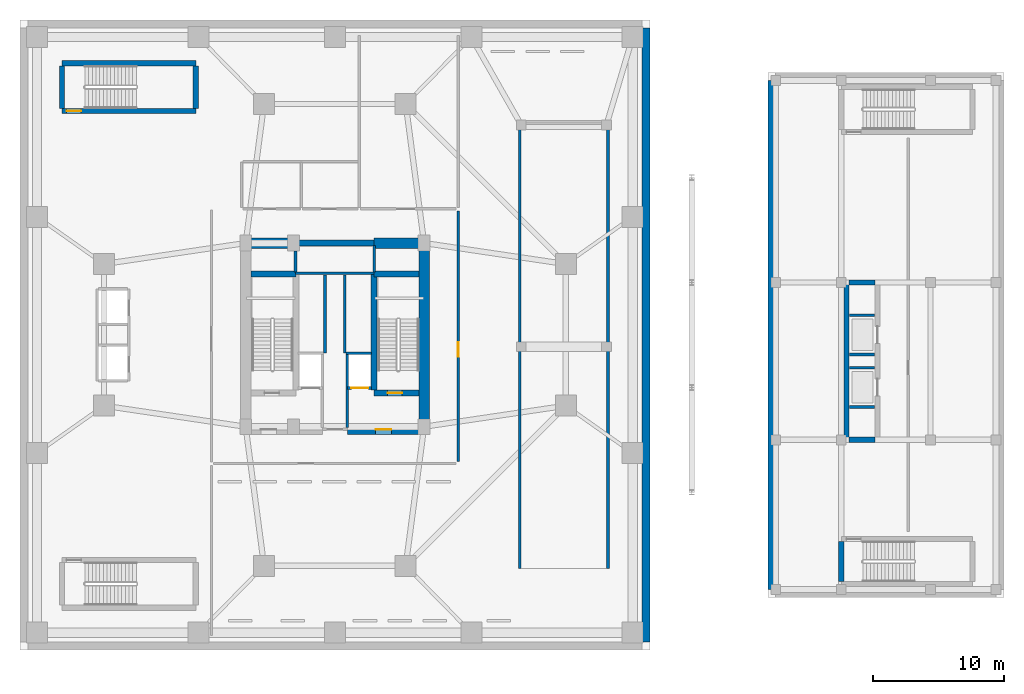
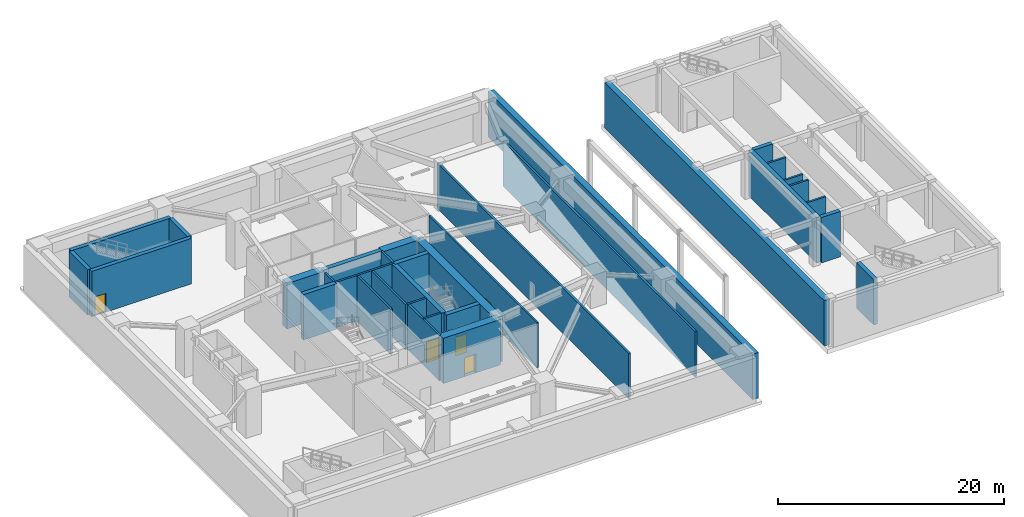
# One storey, part 5 of 13: 34 walls, 5 doors, 5 openings.
"""IFC4 building model written with IfcOpenShell, lengths in metres."""

from ifc_helpers import new_model, si_unit, direction, frame, frame_2d, origin, place, context, subcontext, project, spatial, rectangle, extrude, source, transform, mapped, material, layer, layer_set, type_object, element, fill, save


model = new_model("IFC4")

# Units and contexts
model_context = context("Model", 3, precision=1e-05, world=origin(), true_north=direction((0.0, 1.0)))
body_context = subcontext(model_context, "Body", "Model", "MODEL_VIEW")
ifc_project = project(units=[si_unit("LENGTHUNIT", "METRE"), si_unit("AREAUNIT", "SQUARE_METRE"), si_unit("VOLUMEUNIT", "CUBIC_METRE"), si_unit("PLANEANGLEUNIT", "RADIAN"), si_unit("MASSUNIT", "GRAM", prefix="KILO")], contexts=[model_context])

# Site, building, storey
site_placement = place(None, origin())
site = spatial("IfcSite", under=ifc_project, at=site_placement, CompositionType="ELEMENT")
building_placement = place(site_placement, origin())
building = spatial("IfcBuilding", under=site, at=building_placement, Name="Veraguas Prism Commons", CompositionType="ELEMENT")
storey_placement = place(building_placement, frame((0.0, 0.0, -5.199951171875)))
storey = spatial("IfcBuildingStorey", under=building, at=storey_placement, Name="B1", CompositionType="ELEMENT", Elevation=-5.199951171875)

# Walls
ifc_material_1 = material(Name="Concrete C50/60", Category="concrete")
ifc_layer_1 = layer(ifc_material_1, 0.60009765625, Name="Basement Perimeter Retaining Wall RC 600", Category="concrete")
ifc_layer_set_1 = layer_set([ifc_layer_1], Name="Concrete C50/60")
wall_type_1 = type_object("IfcWallType", Name="Basement Perimeter Retaining Wall RC 600", PredefinedType="SOLIDWALL", material=ifc_layer_set_1)
wall_1_placement = place(storey_placement, frame((47.699951171875, 0.60009765625, 0.0), z_axis=(0.0, 0.0, 1.0), x_axis=(0.0, 1.0, 0.0)))
element("IfcWall", 1, at=wall_1_placement, inside=storey, type_object=wall_type_1, Name="Basement Retaining Wall B1-E", PredefinedType="SOLIDWALL", context=body_context, shape_type="SweptSolid", body=[
    extrude(rectangle(XDim=46.7998046875, YDim=0.60009765625, at=frame_2d((23.39990234375, 0.0))), origin(), (0.0, 0.0, 1.0), 4.89990234375),
])
wall_2_placement = place(storey_placement, frame((57.300048828125, 43.39990234375, 0.0), z_axis=(0.0, 0.0, 1.0), x_axis=(0.0, -1.0, 0.0)))
element("IfcWall", 2, at=wall_2_placement, inside=storey, type_object=wall_type_1, Name="Health Centre Substructure Retaining Wall B1-W", PredefinedType="SOLIDWALL", context=body_context, shape_type="SweptSolid", body=[
    extrude(rectangle(XDim=38.7998046875, YDim=0.60009765625, at=frame_2d((19.39990234375, 0.0))), origin(), (0.0, 0.0, 1.0), 4.89990234375),
])

# Wall, opening, door
ifc_layer_2 = layer(ifc_material_1, 0.39990234375, Name="Clinic and Mid Core Shear Wall RC 400", Category="concrete")
ifc_layer_set_2 = layer_set([ifc_layer_2], Name="Concrete C50/60")
wall_type_2 = type_object("IfcWallType", Name="Clinic and Mid Core Shear Wall RC 400", PredefinedType="SHEAR", material=ifc_layer_set_2)
wall_3_placement = place(storey_placement, frame((3.199951171875, 41.06005859375, 0.0), z_axis=(0.0, 0.0, 1.0), x_axis=(1.0, 0.0, 0.0)))
wall_3 = element("IfcWall", 3, at=wall_3_placement, inside=storey, type_object=wall_type_2, Name="ST-M2 South Shear Wall B1", PredefinedType="SHEAR", context=body_context, shape_type="SweptSolid", body=[
    extrude(rectangle(XDim=10.199951171875, YDim=0.39990234375, at=frame_2d((5.10009765625, 0.0))), origin(), (0.0, 0.0, 1.0), 4.89990234375),
])
opening_1_placement = place(wall_3_placement, frame((0.35009765625, 0.0, 0.0)))
opening_1 = element("IfcOpeningElement", 4, at=opening_1_placement, cuts=wall_3, Name="Opening DR-05", PredefinedType="OPENING", context=body_context, shape_type="SweptSolid", body=[
    extrude(rectangle(XDim=1.10009765625, YDim=2.030029296875, at=frame_2d((0.550048828125, 1.01513671875))), frame((0.0, 0.2099609375, 0.0), z_axis=(0.0, -1.0, 0.0), x_axis=(1.0, 0.0, 0.0)), (0.0, 0.0, 1.0), 0.419921875),
])
ifc_material_2 = material(Name="Steel fire-rated door assembly", Category="steel")
door_type_1 = type_object("IfcDoorType", Name="Protected Stair and Refuge Fire Door 1100x2030", OperationType="NOTDEFINED", PredefinedType="DOOR", material=ifc_material_2)
shared_shape_1 = source(origin(), body_context, "Body", "SweptSolid", [
    extrude(rectangle(XDim=1.10009765625, YDim=2.030029296875, at=frame_2d((0.550048828125, 1.01513671875))), frame((0.0, 0.02490234375, 0.0), z_axis=(0.0, -1.0, 0.0), x_axis=(1.0, 0.0, 0.0)), (0.0, 0.0, 1.0), 0.050048828125),
])
door_1_placement = place(opening_1_placement, origin())
door_1 = element("IfcDoor", 5, at=door_1_placement, inside=storey, type_object=door_type_1, Name="Metro Stair ST-M2 Door B1", OperationType="SINGLE_SWING_RIGHT", OverallHeight=2.030029296875, OverallWidth=1.10009765625, PredefinedType="DOOR", context=body_context, shape_type="MappedRepresentation", body=[
    mapped(shared_shape_1, transform((0.0, 0.0, 0.0), scale=1.0)),
])
fill(opening_1, door_1)

# Walls
wall_4_placement = place(storey_placement, frame((3.199951171875, 44.7099609375, 0.0), z_axis=(0.0, 0.0, 1.0), x_axis=(1.0, 0.0, 0.0)))
element("IfcWall", 6, at=wall_4_placement, inside=storey, type_object=wall_type_2, Name="ST-M2 North Shear Wall B1", PredefinedType="SHEAR", context=body_context, shape_type="SweptSolid", body=[
    extrude(rectangle(XDim=10.199951171875, YDim=0.39990234375, at=frame_2d((5.10009765625, 0.0))), origin(), (0.0, 0.0, 1.0), 4.89990234375),
])
for number, where, z_axis, x_axis, name in (
    (7, (3.199951171875, 41.260009765625, 0.0), (0.0, 0.0, 1.0), (0.0, 1.0, 0.0), "ST-M2 West Shear Wall B1"),
    (8, (13.39990234375, 41.260009765625, 0.0), (0.0, 0.0, 1.0), (0.0, 1.0, 0.0), "ST-M2 East Shear Wall B1"),
):
    element("IfcWall", number, at=place(storey_placement, frame(where, z_axis=z_axis, x_axis=x_axis)), inside=storey, type_object=wall_type_2, Name=name, PredefinedType="SHEAR", context=body_context, shape_type="SweptSolid", body=[
        extrude(rectangle(XDim=3.25, YDim=0.39990234375, at=frame_2d((1.625, 0.0))), origin(), (0.0, 0.0, 1.0), 4.89990234375),
    ])
wall_5_placement = place(storey_placement, frame((63.0, 16.0, 0.0), z_axis=(0.0, 0.0, 1.0), x_axis=(0.0, 1.0, 0.0)))
element("IfcWall", 9, at=wall_5_placement, inside=storey, type_object=wall_type_2, Name="Health Centre Core West Shear Wall B1", PredefinedType="SHEAR", context=body_context, shape_type="SweptSolid", body=[
    extrude(rectangle(XDim=12.0, YDim=0.39990234375, at=frame_2d((6.0, 0.0))), origin(), (0.0, 0.0, 1.0), 4.89990234375),
])
for number, where, z_axis, x_axis, name in (
    (10, (63.199951171875, 16.0, 0.0), (0.0, 0.0, 1.0), (1.0, 0.0, 0.0), "Health Centre Core South Wall B1"),
    (11, (63.199951171875, 28.0, 0.0), (0.0, 0.0, 1.0), (1.0, 0.0, 0.0), "Health Centre Core North Wall B1"),
):
    element("IfcWall", number, at=place(storey_placement, frame(where, z_axis=z_axis, x_axis=x_axis)), inside=storey, type_object=wall_type_2, Name=name, PredefinedType="SHEAR", context=body_context, shape_type="SweptSolid", body=[
        extrude(rectangle(XDim=1.949951171875, YDim=0.39990234375, at=frame_2d((0.97509765625, 0.0))), origin(), (0.0, 0.0, 1.0), 4.89990234375),
    ])
wall_6_placement = place(storey_placement, frame((62.60009765625, 5.199951171875, 0.0), z_axis=(0.0, 0.0, 1.0), x_axis=(0.0, 1.0, 0.0)))
element("IfcWall", 12, at=wall_6_placement, inside=storey, type_object=wall_type_2, Name="ST-H1 West Shear Wall B1", PredefinedType="SHEAR", context=body_context, shape_type="SweptSolid", body=[
    extrude(rectangle(XDim=3.050048828125, YDim=0.39990234375, at=frame_2d((1.52490234375, 0.0))), origin(), (0.0, 0.0, 1.0), 4.89990234375),
])
ifc_material_3 = material(Name="Concrete C60/75", Category="concrete")
ifc_layer_3 = layer(ifc_material_3, 0.449951171875, Name="Core Internal Shear Wall Lower RC 450", Category="concrete")
ifc_layer_set_3 = layer_set([ifc_layer_3], Name="Concrete C60/75")
wall_type_3 = type_object("IfcWallType", Name="Core Internal Shear Wall Lower RC 450", PredefinedType="SHEAR", material=ifc_layer_set_3)
wall_7_placement = place(storey_placement, frame((21.0, 31.0, 0.0), z_axis=(0.0, 0.0, 1.0), x_axis=(1.0, 0.0, 0.0)))
element("IfcWall", 13, at=wall_7_placement, inside=storey, type_object=wall_type_3, Name="High-Rise Lift Bank Front Shear Wall B1", PredefinedType="SHEAR", context=body_context, shape_type="SweptSolid", body=[
    extrude(rectangle(XDim=6.0, YDim=0.449951171875, at=frame_2d((3.0, 0.0))), origin(), (0.0, 0.0, 1.0), 4.89990234375),
])

# Wall, opening, door
wall_8_placement = place(storey_placement, frame((26.97509765625, 19.574951171875, 0.0), z_axis=(0.0, 0.0, 1.0), x_axis=(1.0, 0.0, 0.0)))
wall_8 = element("IfcWall", 14, at=wall_8_placement, inside=storey, type_object=wall_type_3, Name="Stair ST-02 South Shear Wall B1", PredefinedType="SHEAR", context=body_context, shape_type="SweptSolid", body=[
    extrude(rectangle(XDim=3.4248046875, YDim=0.449951171875, at=frame_2d((1.71240234375, 0.0))), origin(), (0.0, 0.0, 1.0), 4.89990234375),
])
opening_2_placement = place(wall_8_placement, frame((1.050048828125, 0.0, 0.0)))
opening_2 = element("IfcOpeningElement", 15, at=opening_2_placement, cuts=wall_8, Name="Opening DR-05", PredefinedType="OPENING", context=body_context, shape_type="SweptSolid", body=[
    extrude(rectangle(XDim=1.10009765625, YDim=2.030029296875, at=frame_2d((0.550048828125, 1.01513671875))), frame((0.0, 0.23486328125, 0.0), z_axis=(0.0, -1.0, 0.0), x_axis=(1.0, 0.0, 0.0)), (0.0, 0.0, 1.0), 0.469970703125),
])
door_2_placement = place(opening_2_placement, origin())
door_2 = element("IfcDoor", 16, at=door_2_placement, inside=storey, type_object=door_type_1, Name="Stair ST-02 Enclosure Door B1", OperationType="SINGLE_SWING_RIGHT", OverallHeight=2.030029296875, OverallWidth=1.10009765625, PredefinedType="DOOR", context=body_context, shape_type="MappedRepresentation", body=[
    mapped(shared_shape_1, transform((0.0, 0.0, 0.0), scale=1.0)),
])
fill(opening_2, door_2)

# Walls
wall_9_placement = place(storey_placement, frame((26.97509765625, 19.800048828125, 0.0), z_axis=(0.0, 0.0, 1.0), x_axis=(0.0, 1.0, 0.0)))
element("IfcWall", 17, at=wall_9_placement, inside=storey, type_object=wall_type_3, Name="Stair ST-02 Inner Shear Wall B1", PredefinedType="SHEAR", context=body_context, shape_type="SweptSolid", body=[
    extrude(rectangle(XDim=8.824951171875, YDim=0.449951171875, at=frame_2d((4.41259765625, 0.0))), origin(), (0.0, 0.0, 1.0), 4.89990234375),
])
for number, where, z_axis, x_axis, name in (
    (18, (17.60009765625, 28.625, 0.0), (0.0, 0.0, 1.0), (1.0, 0.0, 0.0), "Stair ST-01 North Shear Wall B1"),
    (19, (26.97509765625, 28.625, 0.0), (0.0, 0.0, 1.0), (1.0, 0.0, 0.0), "Stair ST-02 North Shear Wall B1"),
):
    element("IfcWall", number, at=place(storey_placement, frame(where, z_axis=z_axis, x_axis=x_axis)), inside=storey, type_object=wall_type_3, Name=name, PredefinedType="SHEAR", context=body_context, shape_type="SweptSolid", body=[
        extrude(rectangle(XDim=3.4248046875, YDim=0.449951171875, at=frame_2d((1.71240234375, 0.0))), origin(), (0.0, 0.0, 1.0), 4.89990234375),
    ])
ifc_layer_4 = layer(ifc_material_3, 0.800048828125, Name="Core Outer Shear Wall Lower RC 800", Category="concrete")
ifc_layer_set_4 = layer_set([ifc_layer_4], Name="Concrete C60/75")
wall_type_4 = type_object("IfcWallType", Name="Core Outer Shear Wall Lower RC 800", PredefinedType="SHEAR", material=ifc_layer_set_4)
wall_10_placement = place(storey_placement, frame((30.800048828125, 16.800048828125, 0.0), z_axis=(0.0, 0.0, 1.0), x_axis=(0.0, 1.0, 0.0)))
element("IfcWall", 20, at=wall_10_placement, inside=storey, type_object=wall_type_4, Name="Central Core East Shear Wall B1", PredefinedType="SHEAR", context=body_context, shape_type="SweptSolid", body=[
    extrude(rectangle(XDim=14.199951171875, YDim=0.800048828125, at=frame_2d((7.10009765625, 0.0))), origin(), (0.0, 0.0, 1.0), 4.89990234375),
])

# Wall, opening, door
wall_11_placement = place(storey_placement, frame((24.949951171875, 16.800048828125, 0.0), z_axis=(0.0, 0.0, 1.0), x_axis=(1.0, 0.0, 0.0)))
wall_11 = element("IfcWall", 21, at=wall_11_placement, inside=storey, type_object=wall_type_4, Name="Central Core South-East Shear Wall B1", PredefinedType="SHEAR", context=body_context, shape_type="SweptSolid", body=[
    extrude(rectangle(XDim=5.85009765625, YDim=0.800048828125, at=frame_2d((2.925048828125, 0.0))), origin(), (0.0, 0.0, 1.0), 4.89990234375),
])
opening_3_placement = place(wall_11_placement, frame((2.14990234375, 0.0, 0.0)))
opening_3 = element("IfcOpeningElement", 22, at=opening_3_placement, cuts=wall_11, Name="Opening DR-06", PredefinedType="OPENING", context=body_context, shape_type="SweptSolid", body=[
    extrude(rectangle(XDim=1.199951171875, YDim=2.030029296875, at=frame_2d((0.60009765625, 1.01513671875))), frame((0.0, 0.409912109375, 0.0), z_axis=(0.0, -1.0, 0.0), x_axis=(1.0, 0.0, 0.0)), (0.0, 0.0, 1.0), 0.820068359375),
])
door_type_2 = type_object("IfcDoorType", Name="Firefighting Lobby Smoke Door 1200x2030", OperationType="NOTDEFINED", PredefinedType="DOOR", material=ifc_material_2)
shared_shape_2 = source(origin(), body_context, "Body", "SweptSolid", [
    extrude(rectangle(XDim=1.199951171875, YDim=2.030029296875, at=frame_2d((0.60009765625, 1.01513671875))), frame((0.0, 0.02490234375, 0.0), z_axis=(0.0, -1.0, 0.0), x_axis=(1.0, 0.0, 0.0)), (0.0, 0.0, 1.0), 0.050048828125),
])
door_3_placement = place(opening_3_placement, origin())
door_3 = element("IfcDoor", 23, at=door_3_placement, inside=storey, type_object=door_type_2, Name="East FF Lobby Door B1", OperationType="SINGLE_SWING_RIGHT", OverallHeight=2.030029296875, OverallWidth=1.199951171875, PredefinedType="DOOR", context=body_context, shape_type="MappedRepresentation", body=[
    mapped(shared_shape_2, transform((0.0, 0.0, 0.0), scale=1.0)),
])
fill(opening_3, door_3)

# Walls
for number, where, z_axis, x_axis, name in (
    (24, (17.199951171875, 31.0, 0.0), (0.0, 0.0, 1.0), (1.0, 0.0, 0.0), "Central Core North-West Shear Wall B1"),
    (25, (27.0, 31.0, 0.0), (0.0, 0.0, 1.0), (1.0, 0.0, 0.0), "Central Core North-East Shear Wall B1"),
):
    element("IfcWall", number, at=place(storey_placement, frame(where, z_axis=z_axis, x_axis=x_axis)), inside=storey, type_object=wall_type_4, Name=name, PredefinedType="SHEAR", context=body_context, shape_type="SweptSolid", body=[
        extrude(rectangle(XDim=3.800048828125, YDim=0.800048828125, at=frame_2d((1.89990234375, 0.0))), origin(), (0.0, 0.0, 1.0), 4.89990234375),
    ])

# Wall, opening, door
ifc_material_4 = material(Name="Autoclaved aerated masonry block 10 MPa", Category="masonry")
ifc_layer_5 = layer(ifc_material_4, 0.179931640625, Name="Corridor and Inter-Tenancy Partition 180", Category="masonry")
ifc_layer_set_5 = layer_set([ifc_layer_5], Name="Autoclaved aerated masonry block 10 MPa")
wall_type_5 = type_object("IfcWallType", Name="Corridor and Inter-Tenancy Partition 180", PredefinedType="PARTITIONING", material=ifc_layer_set_5)
wall_12_placement = place(storey_placement, frame((33.39990234375, 14.35009765625, 0.0), z_axis=(0.0, 0.0, 1.0), x_axis=(0.0, 1.0, 0.0)))
wall_12 = element("IfcWall", 26, at=wall_12_placement, inside=storey, type_object=wall_type_5, Name="WL-B1-PT02", PredefinedType="PARTITIONING", context=body_context, shape_type="SweptSolid", body=[
    extrude(rectangle(XDim=19.099853515625, YDim=0.179931640625, at=frame_2d((9.5498046875, 0.0))), origin(), (0.0, 0.0, 1.0), 4.89990234375),
])
opening_4_placement = place(wall_12_placement, frame((8.0, 0.0, 0.0)))
opening_4 = element("IfcOpeningElement", 27, at=opening_4_placement, cuts=wall_12, Name="Opening DR-05", PredefinedType="OPENING", context=body_context, shape_type="SweptSolid", body=[
    extrude(rectangle(XDim=1.10009765625, YDim=2.030029296875, at=frame_2d((0.550048828125, 1.01513671875))), frame((0.0, 0.099853515625, 0.0), z_axis=(0.0, -1.0, 0.0), x_axis=(1.0, 0.0, 0.0)), (0.0, 0.0, 1.0), 0.199951171875),
])
door_4_placement = place(opening_4_placement, origin())
door_4 = element("IfcDoor", 28, at=door_4_placement, inside=storey, type_object=door_type_1, Name="Car Park Ramp Lobby Door B1", OperationType="SINGLE_SWING_LEFT", OverallHeight=2.030029296875, OverallWidth=1.10009765625, PredefinedType="DOOR", context=body_context, shape_type="MappedRepresentation", body=[
    mapped(shared_shape_1, transform((0.0, 0.0, 0.0), scale=1.0)),
])
fill(opening_4, door_4)

# Walls
ifc_layer_6 = layer(ifc_material_4, 0.199951171875, Name="Rated Shaft and Lobby Block Wall 200", Category="masonry")
ifc_layer_set_6 = layer_set([ifc_layer_6], Name="Autoclaved aerated masonry block 10 MPa")
wall_type_6 = type_object("IfcWallType", Name="Rated Shaft and Lobby Block Wall 200", PredefinedType="SOLIDWALL", material=ifc_layer_set_6)
for number, where, z_axis, x_axis, name in (
    (29, (38.080078125, 6.199951171875, 0.0), (0.0, 0.0, 1.0), (0.0, 1.0, 0.0), "Basement Vehicle Ramp Shaft Wall West"),
    (30, (44.820068359375, 40.1201171875, 0.0), (0.0, 0.0, 1.0), (0.0, -1.0, 0.0), "Basement Vehicle Ramp Shaft Wall East"),
):
    element("IfcWall", number, at=place(storey_placement, frame(where, z_axis=z_axis, x_axis=x_axis)), inside=storey, type_object=wall_type_6, Name=name, PredefinedType="SOLIDWALL", context=body_context, shape_type="SweptSolid", body=[
        extrude(rectangle(XDim=33.920166015625, YDim=0.199951171875, at=frame_2d((16.9599609375, 0.0))), origin(), (0.0, 0.0, 1.0), 4.89990234375),
    ])

# Wall, opening, door
wall_13_placement = place(storey_placement, frame((24.949951171875, 19.949951171875, 0.0), z_axis=(0.0, 0.0, 1.0), x_axis=(1.0, 0.0, 0.0)))
wall_13 = element("IfcWall", 31, at=wall_13_placement, inside=storey, type_object=wall_type_6, Name="Firefighting Lift FFL-2 Front Wall B1", PredefinedType="SOLIDWALL", context=body_context, shape_type="SweptSolid", body=[
    extrude(rectangle(XDim=1.85009765625, YDim=0.199951171875, at=frame_2d((0.925048828125, 0.0))), origin(), (0.0, 0.0, 1.0), 4.89990234375),
])
opening_5_placement = place(wall_13_placement, frame((0.300048828125, 0.0, 0.0)))
opening_5 = element("IfcOpeningElement", 32, at=opening_5_placement, cuts=wall_13, Name="Opening LD-02", PredefinedType="OPENING", context=body_context, shape_type="SweptSolid", body=[
    extrude(rectangle(XDim=1.300048828125, YDim=2.25, at=frame_2d((0.64990234375, 1.125))), frame((0.0, 0.10986328125, 0.0), z_axis=(0.0, -1.0, 0.0), x_axis=(1.0, 0.0, 0.0)), (0.0, 0.0, 1.0), 0.219970703125),
])
ifc_material_5 = material(Name="Stainless steel AISI 316", Category="steel")
door_type_3 = type_object("IfcDoorType", Name="Firefighting Lift Sliding Landing Door 1300x2250", OperationType="NOTDEFINED", PredefinedType="DOOR", material=ifc_material_5)
shared_shape_3 = source(origin(), body_context, "Body", "SweptSolid", [
    extrude(rectangle(XDim=1.300048828125, YDim=2.25, at=frame_2d((0.64990234375, 1.125))), frame((0.0, 0.02490234375, 0.0), z_axis=(0.0, -1.0, 0.0), x_axis=(1.0, 0.0, 0.0)), (0.0, 0.0, 1.0), 0.050048828125),
])
door_5_placement = place(opening_5_placement, origin())
door_5 = element("IfcDoor", 33, at=door_5_placement, inside=storey, type_object=door_type_3, Name="Firefighting Lift FFL-2 Front Wall B1", OperationType="SLIDING_TO_LEFT", OverallHeight=2.25, OverallWidth=1.300048828125, PredefinedType="DOOR", context=body_context, shape_type="MappedRepresentation", body=[
    mapped(shared_shape_3, transform((0.0, 0.0, 0.0), scale=1.0)),
])
fill(opening_5, door_5)

# Walls
wall_14_placement = place(storey_placement, frame((24.949951171875, 16.949951171875, 0.0), z_axis=(0.0, 0.0, 1.0), x_axis=(0.0, 1.0, 0.0)))
element("IfcWall", 34, at=wall_14_placement, inside=storey, type_object=wall_type_6, Name="East FF Lobby Divider Wall B1", PredefinedType="SOLIDWALL", context=body_context, shape_type="SweptSolid", body=[
    extrude(rectangle(XDim=5.60009765625, YDim=0.199951171875, at=frame_2d((2.800048828125, 0.0))), origin(), (0.0, 0.0, 1.0), 4.89990234375),
])
wall_15_placement = place(storey_placement, frame((24.85009765625, 22.60009765625, 0.0), z_axis=(0.0, 0.0, 1.0), x_axis=(1.0, 0.0, 0.0)))
element("IfcWall", 35, at=wall_15_placement, inside=storey, type_object=wall_type_6, Name="Firefighting Lift FFL-2 Rear Wall B1", PredefinedType="SOLIDWALL", context=body_context, shape_type="SweptSolid", body=[
    extrude(rectangle(XDim=1.949951171875, YDim=0.199951171875, at=frame_2d((0.97509765625, 0.0))), origin(), (0.0, 0.0, 1.0), 4.89990234375),
])
wall_16_placement = place(storey_placement, frame((21.0, 28.699951171875, 0.0), z_axis=(0.0, 0.0, 1.0), x_axis=(1.0, 0.0, 0.0)))
element("IfcWall", 36, at=wall_16_placement, inside=storey, type_object=wall_type_6, Name="High-Rise Lift Bank Rear Shaft Wall B1", PredefinedType="SOLIDWALL", context=body_context, shape_type="SweptSolid", body=[
    extrude(rectangle(XDim=6.0, YDim=0.199951171875, at=frame_2d((3.0, 0.0))), origin(), (0.0, 0.0, 1.0), 4.89990234375),
])
wall_17_placement = place(storey_placement, frame((21.0, 28.800048828125, 0.0), z_axis=(0.0, 0.0, 1.0), x_axis=(0.0, 1.0, 0.0)))
element("IfcWall", 37, at=wall_17_placement, inside=storey, type_object=wall_type_6, Name="High-Rise Lift Bank West Shaft Wall B1", PredefinedType="SOLIDWALL", context=body_context, shape_type="SweptSolid", body=[
    extrude(rectangle(XDim=1.599853515625, YDim=0.199951171875, at=frame_2d((0.7998046875, 0.0))), origin(), (0.0, 0.0, 1.0), 4.89990234375),
])
wall_18_placement = place(storey_placement, frame((27.0, 28.800048828125, 0.0), z_axis=(0.0, 0.0, 1.0), x_axis=(0.0, 1.0, 0.0)))
element("IfcWall", 38, at=wall_18_placement, inside=storey, type_object=wall_type_6, Name="High-Rise Lift Bank East Shaft Wall B1", PredefinedType="SOLIDWALL", context=body_context, shape_type="SweptSolid", body=[
    extrude(rectangle(XDim=2.0, YDim=0.199951171875, at=frame_2d((1.0, 0.0))), origin(), (0.0, 0.0, 1.0), 4.89990234375),
])
for number, where, z_axis, x_axis, name in (
    (39, (23.25, 22.60009765625, 0.0), (0.0, 0.0, 1.0), (0.0, 1.0, 0.0), "Low-Rise Lift Bank Front Wall B1"),
    (40, (24.75, 22.60009765625, 0.0), (0.0, 0.0, 1.0), (0.0, 1.0, 0.0), "Mid-Rise Lift Bank Front Wall B1"),
):
    element("IfcWall", number, at=place(storey_placement, frame(where, z_axis=z_axis, x_axis=x_axis)), inside=storey, type_object=wall_type_6, Name=name, PredefinedType="SOLIDWALL", context=body_context, shape_type="SweptSolid", body=[
        extrude(rectangle(XDim=5.949951171875, YDim=0.199951171875, at=frame_2d((2.97509765625, 0.0))), origin(), (0.0, 0.0, 1.0), 4.89990234375),
    ])
for number, where, z_axis, x_axis, name in (
    (41, (63.219970703125, 18.5, 0.0), (0.0, 0.0, 1.0), (1.0, 0.0, 0.0), "Health Centre Lift Shaft Divider Wall B1-CL1S"),
    (42, (63.219970703125, 21.5, 0.0), (0.0, 0.0, 1.0), (1.0, 0.0, 0.0), "Health Centre Lift Shaft Divider Wall B1-CL1N"),
    (43, (63.219970703125, 22.5, 0.0), (0.0, 0.0, 1.0), (1.0, 0.0, 0.0), "Health Centre Lift Shaft Divider Wall B1-CL2S"),
    (44, (63.219970703125, 25.5, 0.0), (0.0, 0.0, 1.0), (1.0, 0.0, 0.0), "Health Centre Lift Shaft Divider Wall B1-CL2N"),
):
    element("IfcWall", number, at=place(storey_placement, frame(where, z_axis=z_axis, x_axis=x_axis)), inside=storey, type_object=wall_type_6, Name=name, PredefinedType="SOLIDWALL", context=body_context, shape_type="SweptSolid", body=[
        extrude(rectangle(XDim=1.909912109375, YDim=0.199951171875, at=frame_2d((0.955078125, 0.0))), origin(), (0.0, 0.0, 1.0), 4.89990234375),
    ])

save(model, "model.ifc")
